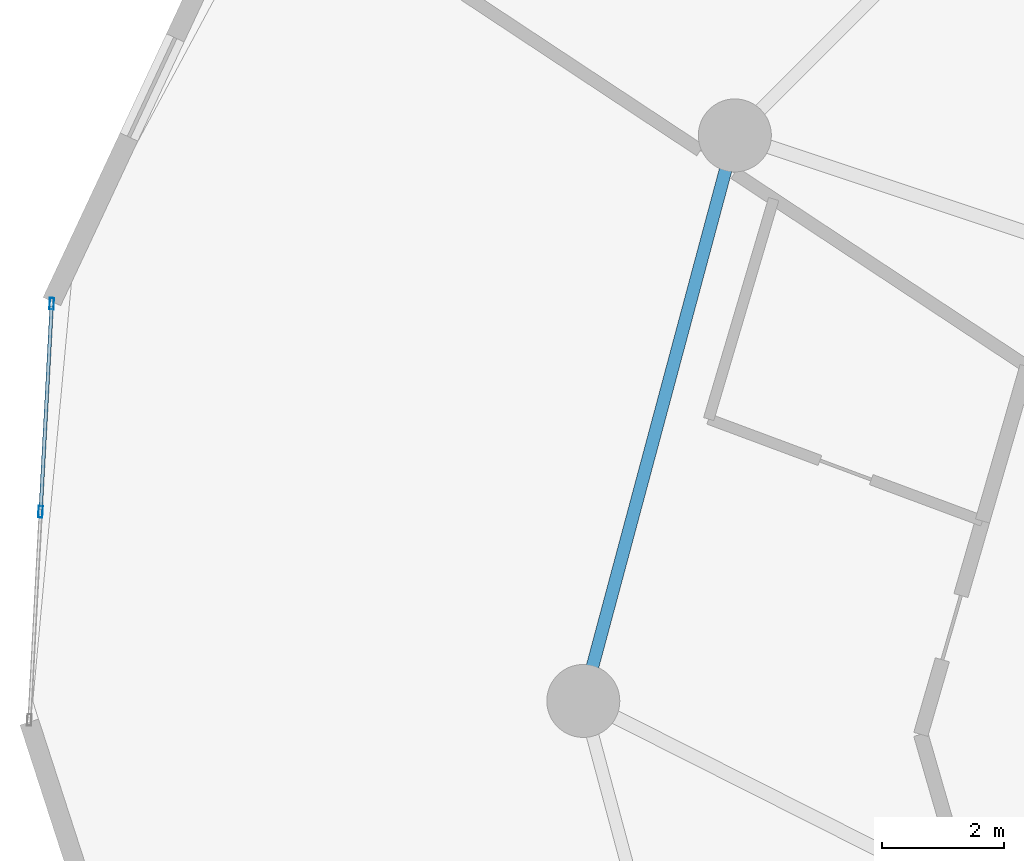
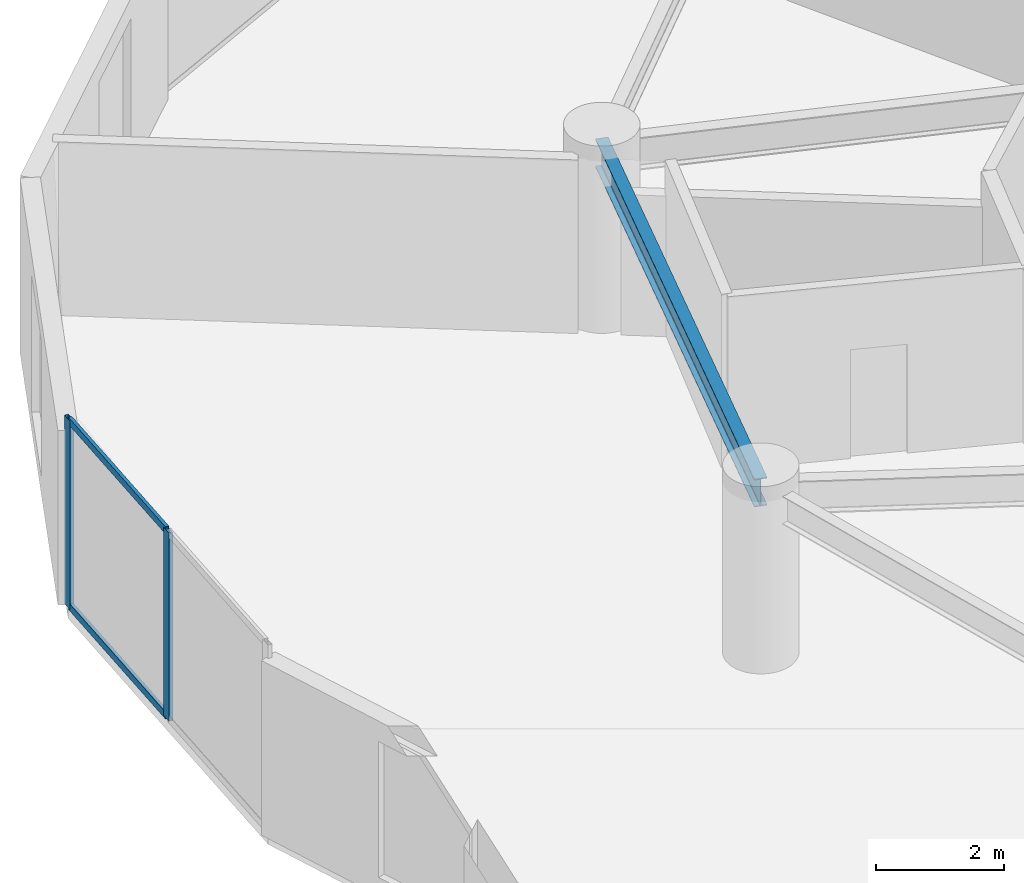
# One storey, part 8 of 25: 4 members, 1 beam, 1 element without a shape of its own.
"""IFC4 building model written with IfcOpenShell, lengths in metres."""

from ifc_helpers import new_model, si_unit, direction, frame, origin, origin_2d, place, context, subcontext, project, spatial, hollow_rectangle, i_section, extrude, source, transform, mapped, material, layer, layer_set, material_profile, profile_set, type_object, element, aggregate, save


model = new_model("IFC4")

# Units and contexts
model_context = context("Model", 3, precision=1e-05, world=origin(), true_north=direction((0.0, 1.0)))
body_context = subcontext(model_context, "Body", "Model", "MODEL_VIEW")
ifc_project = project(units=[si_unit("LENGTHUNIT", "METRE"), si_unit("AREAUNIT", "SQUARE_METRE"), si_unit("VOLUMEUNIT", "CUBIC_METRE"), si_unit("PLANEANGLEUNIT", "RADIAN"), si_unit("MASSUNIT", "GRAM", prefix="KILO")], contexts=[model_context])

# Site, building, storey
site_placement = place(None, origin())
site = spatial("IfcSite", under=ifc_project, at=site_placement, CompositionType="ELEMENT")
building_placement = place(site_placement, origin())
building = spatial("IfcBuilding", under=site, at=building_placement, Name="Solvirekh Grand Hotel", CompositionType="ELEMENT")
storey_placement = place(building_placement, frame((0.0, 0.0, 57.199951171875)))
storey = spatial("IfcBuildingStorey", under=building, at=storey_placement, Name="L13", CompositionType="ELEMENT", Elevation=57.199951171875)

# Beam
ifc_material_1 = material(Name="Steel S355", Category="steel")
ifc_material_profile_1 = material_profile(ifc_material_1, i_section(OverallWidth=0.208984375, OverallDepth=0.532958984375, WebThickness=0.010009765625, FlangeThickness=0.014892578125, FilletRadius=0.013916015625, at=origin_2d()), Name="W530X92")
ifc_profile_set_1 = profile_set([ifc_material_profile_1], Name="Steel S355")
beam_type = type_object("IfcBeamType", Name="Spandrel_Ring_W530", PredefinedType="SPANDREL", material=ifc_profile_set_1)
beam_placement = place(storey_placement, frame((-16.10791015625, 9.300048828125, 3.072998046875), z_axis=(-0.258842973314, -0.965919414426, 0.0), x_axis=(0.965919414426, -0.258842973314, 0.0)))
element("IfcBeam", 1, at=beam_placement, inside=storey, type_object=beam_type, Name="L13 perimeter spandrel beam 6", PredefinedType="SPANDREL", context=body_context, shape_type="SweptSolid", body=[
    extrude(i_section(OverallWidth=0.208984375, OverallDepth=0.532958984375, WebThickness=0.010009765625, FlangeThickness=0.014892578125, FilletRadius=0.013916015625, at=origin_2d()), origin(), (0.0, 0.0, 1.0), 9.628173828125),
])

# Curtain wall, members
ifc_material_2 = material(Name="Anodized Bronze Aluminium 6063-T6", Category="aluminium")
ifc_layer = layer(ifc_material_2, 0.18994140625)
ifc_layer_set = layer_set([ifc_layer], Name="Anodized Bronze Aluminium 6063-T6")
curtain_wall_type = type_object("IfcCurtainWallType", Name="CW_Sys2_LowZoneFlushBronzeCW", PredefinedType="NOTDEFINED", material=ifc_layer_set)
curtain_wall_placement = place(storey_placement, origin())
curtain_wall = element("IfcCurtainWall", 2, at=curtain_wall_placement, inside=storey, type_object=curtain_wall_type, Name="L13 unitised bronze-glass curtain wall CW-L13-C11", PredefinedType="NOTDEFINED")
ifc_material_profile_2 = material_profile(ifc_material_2, hollow_rectangle(XDim=0.070068359375, YDim=0.18994140625, WallThickness=0.0048828125, at=origin_2d()), Name="ALU RHS 190X70X5")
ifc_profile_set_2 = profile_set([ifc_material_profile_2], Name="Anodized Bronze Aluminium 6063-T6")
member_type_1 = type_object("IfcMemberType", Name="CWMullion_Sys2", PredefinedType="MULLION", material=ifc_profile_set_2)
shared_shape_1 = source(origin(), body_context, "Body", "SweptSolid", [
    extrude(hollow_rectangle(XDim=0.070068359375, YDim=0.18994140625, WallThickness=0.0048828125, at=origin_2d()), origin(), (0.0, 0.0, 1.0), 3.60009765625),
])
member_1_placement = place(storey_placement, frame((-27.3408203125, 6.532958984375, 0.0), z_axis=(0.0, 0.0, 1.0), x_axis=(0.998556123258, -0.053718420521, 0.0)))
member_1 = element("IfcMember", 3, at=member_1_placement, type_object=member_type_1, Name="U02 mullion 1", PredefinedType="MULLION", context=body_context, shape_type="MappedRepresentation", body=[
    mapped(shared_shape_1, transform((0.0, 0.0, 0.0), x_axis=(1.0, 0.0, 0.0), y_axis=(0.0, 1.0, 0.0), z_axis=(0.0, 0.0, 1.0), scale=1.0)),
])
member_2_placement = place(storey_placement, frame((-27.52490234375, 3.110595703125, 0.0), z_axis=(0.0, 0.0, 1.0), x_axis=(0.998556123258, -0.053718420521, 0.0)))
member_2 = element("IfcMember", 4, at=member_2_placement, type_object=member_type_1, Name="U02 mullion 2", PredefinedType="MULLION", context=body_context, shape_type="MappedRepresentation", body=[
    mapped(shared_shape_1, transform((0.0, 0.0, 0.0), x_axis=(1.0, 0.0, 0.0), y_axis=(0.0, 1.0, 0.0), z_axis=(0.0, 0.0, 1.0), scale=1.0)),
])
ifc_material_profile_3 = material_profile(ifc_material_2, hollow_rectangle(XDim=0.06005859375, YDim=0.135009765625, WallThickness=0.00390625, at=origin_2d()), Name="ALU RHS 135X60X4")
ifc_profile_set_3 = profile_set([ifc_material_profile_3], Name="Anodized Bronze Aluminium 6063-T6")
member_type_2 = type_object("IfcMemberType", Name="CWTransom_Sys2", PredefinedType="USERDEFINED", material=ifc_profile_set_3)
shared_shape_2 = source(origin(), body_context, "Body", "SweptSolid", [
    extrude(hollow_rectangle(XDim=0.06005859375, YDim=0.135009765625, WallThickness=0.00390625, at=origin_2d()), origin(), (0.0, 0.0, 1.0), 3.357421875),
])
member_3_placement = place(storey_placement, frame((-27.3427734375, 6.498046875, 0.030029296875), z_axis=(-0.053738143813, -0.998555062027, 0.0), x_axis=(0.998555062027, -0.053738143813, 0.0)))
member_3 = element("IfcMember", 5, at=member_3_placement, type_object=member_type_2, Name="U02 transom 1.1", ObjectType="TRANSOM", PredefinedType="USERDEFINED", context=body_context, shape_type="MappedRepresentation", body=[
    mapped(shared_shape_2, transform((0.0, 0.0, 0.0), x_axis=(1.0, 0.0, 0.0), y_axis=(0.0, 1.0, 0.0), z_axis=(0.0, 0.0, 1.0), scale=1.0)),
])
member_4_placement = place(storey_placement, frame((-27.3427734375, 6.498046875, 3.570068359375), z_axis=(-0.053738143813, -0.998555062027, 0.0), x_axis=(0.998555062027, -0.053738143813, 0.0)))
member_4 = element("IfcMember", 6, at=member_4_placement, type_object=member_type_2, Name="U02 transom 1.2", ObjectType="TRANSOM", PredefinedType="USERDEFINED", context=body_context, shape_type="MappedRepresentation", body=[
    mapped(shared_shape_2, transform((0.0, 0.0, 0.0), x_axis=(1.0, 0.0, 0.0), y_axis=(0.0, 1.0, 0.0), z_axis=(0.0, 0.0, 1.0), scale=1.0)),
])
aggregate(curtain_wall, [member_1, member_2, member_3, member_4])

save(model, "model.ifc")
